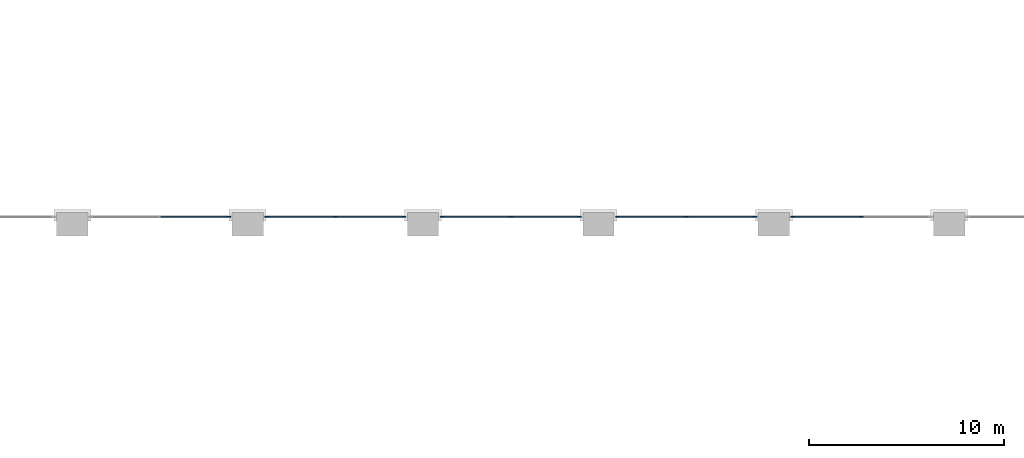
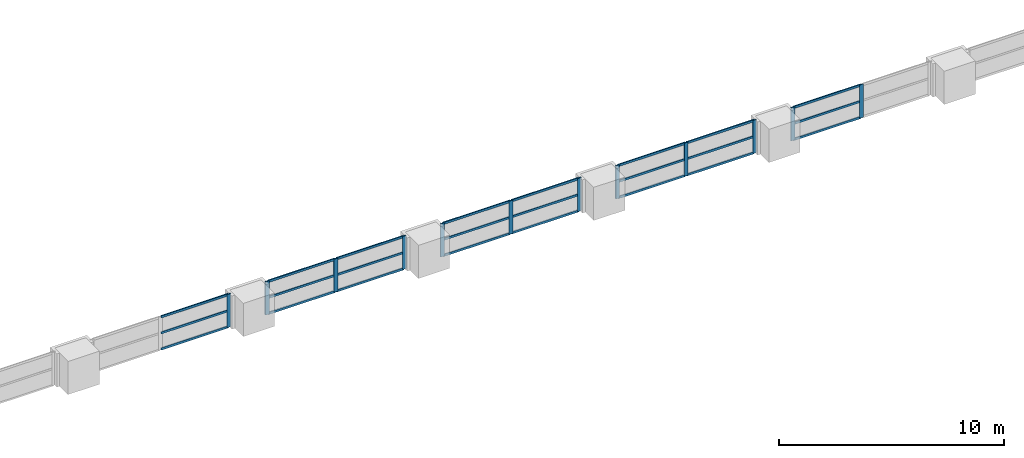
# One storey, part 6 of 32: 36 members, 5 elements without a shape of their own.
"""IFC4 building model written with IfcOpenShell, lengths in metres."""

from ifc_helpers import new_model, si_unit, direction, frame, origin, origin_2d, place, context, subcontext, project, spatial, rectangle, extrude, material, material_profile, profile_set, type_object, element, aggregate, save


model = new_model("IFC4")

# Units and contexts
model_context = context("Model", 3, precision=1e-05, world=origin(), true_north=direction((0.0, 1.0)))
body_context = subcontext(model_context, "Body", "Model", "MODEL_VIEW")
ifc_project = project(units=[si_unit("LENGTHUNIT", "METRE"), si_unit("AREAUNIT", "SQUARE_METRE"), si_unit("VOLUMEUNIT", "CUBIC_METRE"), si_unit("PLANEANGLEUNIT", "RADIAN"), si_unit("MASSUNIT", "GRAM", prefix="KILO")], contexts=[model_context])

# Site, building, storey
site_placement = place(None, origin())
site = spatial("IfcSite", under=ifc_project, at=site_placement, CompositionType="ELEMENT")
building_placement = place(site_placement, origin())
building = spatial("IfcBuilding", under=site, at=building_placement, Name="Aravalli Gate Trade Fair Centre", CompositionType="ELEMENT")
storey_placement = place(building_placement, frame((0.0, 0.0, 23.39990234375)))
storey = spatial("IfcBuildingStorey", under=building, at=storey_placement, Name="ROOF LEVEL 1", CompositionType="ELEMENT", Elevation=23.39990234375)

# Curtain wall, member
ifc_material_1 = material(Name="Aluminium, glass and louvre", Category="aluminium")
curtain_wall_type = type_object("IfcCurtainWallType", Name="Hall crown curtain wall 3000 module", PredefinedType="NOTDEFINED", material=ifc_material_1)
curtain_wall_1_placement = place(storey_placement, origin())
curtain_wall_1 = element("IfcCurtainWall", 1, at=curtain_wall_1_placement, inside=storey, type_object=curtain_wall_type, Name="Hall north crown curtain wall bay 3 ROOF LEVEL 1", PredefinedType="NOTDEFINED")
ifc_material_2 = material(Name="Aluminium", Category="aluminium")
ifc_material_profile_1 = material_profile(ifc_material_2, rectangle(XDim=0.06005859375, YDim=0.199951171875, at=origin_2d()), Name="Hall curtain wall mullion 60 x 200")
ifc_profile_set_1 = profile_set([ifc_material_profile_1], Name="Aluminium")
member_type_1 = type_object("IfcMemberType", Name="Hall curtain wall mullion 60 x 200", PredefinedType="MULLION", material=ifc_profile_set_1)
member_1_placement = place(storey_placement, frame((32.02001953125, 109.375, 0.0), z_axis=(0.0, 0.0, 1.0), x_axis=(0.0, 1.0, 0.0)))
member_1 = element("IfcMember", 2, at=member_1_placement, type_object=member_type_1, Name="HCW1 mullion 3", PredefinedType="MULLION", context=body_context, shape_type="SweptSolid", body=[
    extrude(rectangle(XDim=0.06005859375, YDim=0.199951171875, at=origin_2d()), origin(), (0.0, 0.0, 1.0), 1.800048828125),
])

# Curtain wall, members
curtain_wall_2_placement = place(storey_placement, origin())
curtain_wall_2 = element("IfcCurtainWall", 3, at=curtain_wall_2_placement, inside=storey, type_object=curtain_wall_type, Name="Hall north crown curtain wall bay 4 ROOF LEVEL 1", PredefinedType="NOTDEFINED")
member_2_placement = place(storey_placement, frame((33.97998046875, 109.375, 0.0), z_axis=(0.0, 0.0, 1.0), x_axis=(0.0, 1.0, 0.0)))
member_2 = element("IfcMember", 4, at=member_2_placement, type_object=member_type_1, Name="HCW1 mullion 1", PredefinedType="MULLION", context=body_context, shape_type="SweptSolid", body=[
    extrude(rectangle(XDim=0.06005859375, YDim=0.199951171875, at=origin_2d()), origin(), (0.0, 0.0, 1.0), 1.800048828125),
])
member_3_placement = place(storey_placement, frame((37.5, 109.375, 0.0), z_axis=(0.0, 0.0, 1.0), x_axis=(0.0, 1.0, 0.0)))
member_3 = element("IfcMember", 5, at=member_3_placement, type_object=member_type_1, Name="HCW1 mullion 2", PredefinedType="MULLION", context=body_context, shape_type="SweptSolid", body=[
    extrude(rectangle(XDim=0.06005859375, YDim=0.199951171875, at=origin_2d()), origin(), (0.0, 0.0, 1.0), 1.800048828125),
])
member_4_placement = place(storey_placement, frame((41.02001953125, 109.375, 0.0), z_axis=(0.0, 0.0, 1.0), x_axis=(0.0, 1.0, 0.0)))
member_4 = element("IfcMember", 6, at=member_4_placement, type_object=member_type_1, Name="HCW1 mullion 3", PredefinedType="MULLION", context=body_context, shape_type="SweptSolid", body=[
    extrude(rectangle(XDim=0.06005859375, YDim=0.199951171875, at=origin_2d()), origin(), (0.0, 0.0, 1.0), 1.800048828125),
])

curtain_wall_3_placement = place(storey_placement, origin())
curtain_wall_3 = element("IfcCurtainWall", 7, at=curtain_wall_3_placement, inside=storey, type_object=curtain_wall_type, Name="Hall north crown curtain wall bay 5 ROOF LEVEL 1", PredefinedType="NOTDEFINED")
member_5_placement = place(storey_placement, frame((42.97998046875, 109.375, 0.0), z_axis=(0.0, 0.0, 1.0), x_axis=(0.0, 1.0, 0.0)))
member_5 = element("IfcMember", 8, at=member_5_placement, type_object=member_type_1, Name="HCW1 mullion 1", PredefinedType="MULLION", context=body_context, shape_type="SweptSolid", body=[
    extrude(rectangle(XDim=0.06005859375, YDim=0.199951171875, at=origin_2d()), origin(), (0.0, 0.0, 1.0), 1.800048828125),
])
member_6_placement = place(storey_placement, frame((46.5, 109.375, 0.0), z_axis=(0.0, 0.0, 1.0), x_axis=(0.0, 1.0, 0.0)))
member_6 = element("IfcMember", 9, at=member_6_placement, type_object=member_type_1, Name="HCW1 mullion 2", PredefinedType="MULLION", context=body_context, shape_type="SweptSolid", body=[
    extrude(rectangle(XDim=0.06005859375, YDim=0.199951171875, at=origin_2d()), origin(), (0.0, 0.0, 1.0), 1.800048828125),
])
member_7_placement = place(storey_placement, frame((50.02001953125, 109.375, 0.0), z_axis=(0.0, 0.0, 1.0), x_axis=(0.0, 1.0, 0.0)))
member_7 = element("IfcMember", 10, at=member_7_placement, type_object=member_type_1, Name="HCW1 mullion 3", PredefinedType="MULLION", context=body_context, shape_type="SweptSolid", body=[
    extrude(rectangle(XDim=0.06005859375, YDim=0.199951171875, at=origin_2d()), origin(), (0.0, 0.0, 1.0), 1.800048828125),
])

curtain_wall_4_placement = place(storey_placement, origin())
curtain_wall_4 = element("IfcCurtainWall", 11, at=curtain_wall_4_placement, inside=storey, type_object=curtain_wall_type, Name="Hall north crown curtain wall bay 6 ROOF LEVEL 1", PredefinedType="NOTDEFINED")
member_8_placement = place(storey_placement, frame((51.97998046875, 109.375, 0.0), z_axis=(0.0, 0.0, 1.0), x_axis=(0.0, 1.0, 0.0)))
member_8 = element("IfcMember", 12, at=member_8_placement, type_object=member_type_1, Name="HCW1 mullion 1", PredefinedType="MULLION", context=body_context, shape_type="SweptSolid", body=[
    extrude(rectangle(XDim=0.06005859375, YDim=0.199951171875, at=origin_2d()), origin(), (0.0, 0.0, 1.0), 1.800048828125),
])
member_9_placement = place(storey_placement, frame((55.5, 109.375, 0.0), z_axis=(0.0, 0.0, 1.0), x_axis=(0.0, 1.0, 0.0)))
member_9 = element("IfcMember", 13, at=member_9_placement, type_object=member_type_1, Name="HCW1 mullion 2", PredefinedType="MULLION", context=body_context, shape_type="SweptSolid", body=[
    extrude(rectangle(XDim=0.06005859375, YDim=0.199951171875, at=origin_2d()), origin(), (0.0, 0.0, 1.0), 1.800048828125),
])
member_10_placement = place(storey_placement, frame((59.02001953125, 109.375, 0.0), z_axis=(0.0, 0.0, 1.0), x_axis=(0.0, 1.0, 0.0)))
member_10 = element("IfcMember", 14, at=member_10_placement, type_object=member_type_1, Name="HCW1 mullion 3", PredefinedType="MULLION", context=body_context, shape_type="SweptSolid", body=[
    extrude(rectangle(XDim=0.06005859375, YDim=0.199951171875, at=origin_2d()), origin(), (0.0, 0.0, 1.0), 1.800048828125),
])

curtain_wall_5_placement = place(storey_placement, origin())
curtain_wall_5 = element("IfcCurtainWall", 15, at=curtain_wall_5_placement, inside=storey, type_object=curtain_wall_type, Name="Hall north crown curtain wall bay 7 ROOF LEVEL 1", PredefinedType="NOTDEFINED")
member_11_placement = place(storey_placement, frame((60.97998046875, 109.375, 0.0), z_axis=(0.0, 0.0, 1.0), x_axis=(0.0, 1.0, 0.0)))
member_11 = element("IfcMember", 16, at=member_11_placement, type_object=member_type_1, Name="HCW1 mullion 1", PredefinedType="MULLION", context=body_context, shape_type="SweptSolid", body=[
    extrude(rectangle(XDim=0.06005859375, YDim=0.199951171875, at=origin_2d()), origin(), (0.0, 0.0, 1.0), 1.800048828125),
])
member_12_placement = place(storey_placement, frame((64.5, 109.375, 0.0), z_axis=(0.0, 0.0, 1.0), x_axis=(0.0, 1.0, 0.0)))
member_12 = element("IfcMember", 17, at=member_12_placement, type_object=member_type_1, Name="HCW1 mullion 2", PredefinedType="MULLION", context=body_context, shape_type="SweptSolid", body=[
    extrude(rectangle(XDim=0.06005859375, YDim=0.199951171875, at=origin_2d()), origin(), (0.0, 0.0, 1.0), 1.800048828125),
])

# Member
ifc_material_profile_2 = material_profile(ifc_material_2, rectangle(XDim=0.06005859375, YDim=0.1201171875, at=origin_2d()), Name="Hall curtain wall transom 60 x 120")
ifc_profile_set_2 = profile_set([ifc_material_profile_2], Name="Aluminium")
member_type_2 = type_object("IfcMemberType", Name="Hall curtain wall transom 60 x 120", PredefinedType="USERDEFINED", material=ifc_profile_set_2)
member_13_placement = place(storey_placement, frame((28.530029296875, 109.375, 0.030029296875), z_axis=(1.0, 0.0, 0.0), x_axis=(0.0, 1.0, 0.0)))
member_13 = element("IfcMember", 18, at=member_13_placement, type_object=member_type_2, Name="HCW1 transom 2.1", ObjectType="TRANSOM", PredefinedType="USERDEFINED", context=body_context, shape_type="SweptSolid", body=[
    extrude(rectangle(XDim=0.06005859375, YDim=0.1201171875, at=origin_2d()), origin(), (0.0, 0.0, 1.0), 3.4599609375),
])

member_14_placement = place(storey_placement, frame((28.530029296875, 109.375, 0.900146484375), z_axis=(1.0, 0.0, 0.0), x_axis=(0.0, 1.0, 0.0)))
member_14 = element("IfcMember", 19, at=member_14_placement, type_object=member_type_2, Name="HCW1 transom 2.2", ObjectType="TRANSOM", PredefinedType="USERDEFINED", context=body_context, shape_type="SweptSolid", body=[
    extrude(rectangle(XDim=0.06005859375, YDim=0.1201171875, at=origin_2d()), origin(), (0.0, 0.0, 1.0), 3.4599609375),
])

member_15_placement = place(storey_placement, frame((28.530029296875, 109.375, 1.77001953125), z_axis=(1.0, 0.0, 0.0), x_axis=(0.0, 1.0, 0.0)))
member_15 = element("IfcMember", 20, at=member_15_placement, type_object=member_type_2, Name="HCW1 transom 2.3", ObjectType="TRANSOM", PredefinedType="USERDEFINED", context=body_context, shape_type="SweptSolid", body=[
    extrude(rectangle(XDim=0.06005859375, YDim=0.1201171875, at=origin_2d()), origin(), (0.0, 0.0, 1.0), 3.4599609375),
])

aggregate(curtain_wall_1, [member_1, member_13, member_14, member_15])

member_16_placement = place(storey_placement, frame((34.010009765625, 109.375, 0.030029296875), z_axis=(1.0, 0.0, 0.0), x_axis=(0.0, 1.0, 0.0)))
member_16 = element("IfcMember", 21, at=member_16_placement, type_object=member_type_2, Name="HCW1 transom 1.1", ObjectType="TRANSOM", PredefinedType="USERDEFINED", context=body_context, shape_type="SweptSolid", body=[
    extrude(rectangle(XDim=0.06005859375, YDim=0.1201171875, at=origin_2d()), origin(), (0.0, 0.0, 1.0), 3.4599609375),
])

member_17_placement = place(storey_placement, frame((34.010009765625, 109.375, 0.900146484375), z_axis=(1.0, 0.0, 0.0), x_axis=(0.0, 1.0, 0.0)))
member_17 = element("IfcMember", 22, at=member_17_placement, type_object=member_type_2, Name="HCW1 transom 1.2", ObjectType="TRANSOM", PredefinedType="USERDEFINED", context=body_context, shape_type="SweptSolid", body=[
    extrude(rectangle(XDim=0.06005859375, YDim=0.1201171875, at=origin_2d()), origin(), (0.0, 0.0, 1.0), 3.4599609375),
])

member_18_placement = place(storey_placement, frame((34.010009765625, 109.375, 1.77001953125), z_axis=(1.0, 0.0, 0.0), x_axis=(0.0, 1.0, 0.0)))
member_18 = element("IfcMember", 23, at=member_18_placement, type_object=member_type_2, Name="HCW1 transom 1.3", ObjectType="TRANSOM", PredefinedType="USERDEFINED", context=body_context, shape_type="SweptSolid", body=[
    extrude(rectangle(XDim=0.06005859375, YDim=0.1201171875, at=origin_2d()), origin(), (0.0, 0.0, 1.0), 3.4599609375),
])

member_19_placement = place(storey_placement, frame((37.530029296875, 109.375, 0.030029296875), z_axis=(1.0, 0.0, 0.0), x_axis=(0.0, 1.0, 0.0)))
member_19 = element("IfcMember", 24, at=member_19_placement, type_object=member_type_2, Name="HCW1 transom 2.1", ObjectType="TRANSOM", PredefinedType="USERDEFINED", context=body_context, shape_type="SweptSolid", body=[
    extrude(rectangle(XDim=0.06005859375, YDim=0.1201171875, at=origin_2d()), origin(), (0.0, 0.0, 1.0), 3.4599609375),
])

member_20_placement = place(storey_placement, frame((37.530029296875, 109.375, 0.900146484375), z_axis=(1.0, 0.0, 0.0), x_axis=(0.0, 1.0, 0.0)))
member_20 = element("IfcMember", 25, at=member_20_placement, type_object=member_type_2, Name="HCW1 transom 2.2", ObjectType="TRANSOM", PredefinedType="USERDEFINED", context=body_context, shape_type="SweptSolid", body=[
    extrude(rectangle(XDim=0.06005859375, YDim=0.1201171875, at=origin_2d()), origin(), (0.0, 0.0, 1.0), 3.4599609375),
])

member_21_placement = place(storey_placement, frame((37.530029296875, 109.375, 1.77001953125), z_axis=(1.0, 0.0, 0.0), x_axis=(0.0, 1.0, 0.0)))
member_21 = element("IfcMember", 26, at=member_21_placement, type_object=member_type_2, Name="HCW1 transom 2.3", ObjectType="TRANSOM", PredefinedType="USERDEFINED", context=body_context, shape_type="SweptSolid", body=[
    extrude(rectangle(XDim=0.06005859375, YDim=0.1201171875, at=origin_2d()), origin(), (0.0, 0.0, 1.0), 3.4599609375),
])

aggregate(curtain_wall_2, [member_2, member_3, member_4, member_16, member_17, member_18, member_19, member_20, member_21])

member_22_placement = place(storey_placement, frame((43.010009765625, 109.375, 0.030029296875), z_axis=(1.0, 0.0, 0.0), x_axis=(0.0, 1.0, 0.0)))
member_22 = element("IfcMember", 27, at=member_22_placement, type_object=member_type_2, Name="HCW1 transom 1.1", ObjectType="TRANSOM", PredefinedType="USERDEFINED", context=body_context, shape_type="SweptSolid", body=[
    extrude(rectangle(XDim=0.06005859375, YDim=0.1201171875, at=origin_2d()), origin(), (0.0, 0.0, 1.0), 3.4599609375),
])

member_23_placement = place(storey_placement, frame((43.010009765625, 109.375, 0.900146484375), z_axis=(1.0, 0.0, 0.0), x_axis=(0.0, 1.0, 0.0)))
member_23 = element("IfcMember", 28, at=member_23_placement, type_object=member_type_2, Name="HCW1 transom 1.2", ObjectType="TRANSOM", PredefinedType="USERDEFINED", context=body_context, shape_type="SweptSolid", body=[
    extrude(rectangle(XDim=0.06005859375, YDim=0.1201171875, at=origin_2d()), origin(), (0.0, 0.0, 1.0), 3.4599609375),
])

member_24_placement = place(storey_placement, frame((43.010009765625, 109.375, 1.77001953125), z_axis=(1.0, 0.0, 0.0), x_axis=(0.0, 1.0, 0.0)))
member_24 = element("IfcMember", 29, at=member_24_placement, type_object=member_type_2, Name="HCW1 transom 1.3", ObjectType="TRANSOM", PredefinedType="USERDEFINED", context=body_context, shape_type="SweptSolid", body=[
    extrude(rectangle(XDim=0.06005859375, YDim=0.1201171875, at=origin_2d()), origin(), (0.0, 0.0, 1.0), 3.4599609375),
])

member_25_placement = place(storey_placement, frame((46.530029296875, 109.375, 0.030029296875), z_axis=(1.0, 0.0, 0.0), x_axis=(0.0, 1.0, 0.0)))
member_25 = element("IfcMember", 30, at=member_25_placement, type_object=member_type_2, Name="HCW1 transom 2.1", ObjectType="TRANSOM", PredefinedType="USERDEFINED", context=body_context, shape_type="SweptSolid", body=[
    extrude(rectangle(XDim=0.06005859375, YDim=0.1201171875, at=origin_2d()), origin(), (0.0, 0.0, 1.0), 3.4599609375),
])

member_26_placement = place(storey_placement, frame((46.530029296875, 109.375, 0.900146484375), z_axis=(1.0, 0.0, 0.0), x_axis=(0.0, 1.0, 0.0)))
member_26 = element("IfcMember", 31, at=member_26_placement, type_object=member_type_2, Name="HCW1 transom 2.2", ObjectType="TRANSOM", PredefinedType="USERDEFINED", context=body_context, shape_type="SweptSolid", body=[
    extrude(rectangle(XDim=0.06005859375, YDim=0.1201171875, at=origin_2d()), origin(), (0.0, 0.0, 1.0), 3.4599609375),
])

member_27_placement = place(storey_placement, frame((46.530029296875, 109.375, 1.77001953125), z_axis=(1.0, 0.0, 0.0), x_axis=(0.0, 1.0, 0.0)))
member_27 = element("IfcMember", 32, at=member_27_placement, type_object=member_type_2, Name="HCW1 transom 2.3", ObjectType="TRANSOM", PredefinedType="USERDEFINED", context=body_context, shape_type="SweptSolid", body=[
    extrude(rectangle(XDim=0.06005859375, YDim=0.1201171875, at=origin_2d()), origin(), (0.0, 0.0, 1.0), 3.4599609375),
])

aggregate(curtain_wall_3, [member_5, member_6, member_7, member_22, member_23, member_24, member_25, member_26, member_27])

member_28_placement = place(storey_placement, frame((52.010009765625, 109.375, 0.030029296875), z_axis=(1.0, 0.0, 0.0), x_axis=(0.0, 1.0, 0.0)))
member_28 = element("IfcMember", 33, at=member_28_placement, type_object=member_type_2, Name="HCW1 transom 1.1", ObjectType="TRANSOM", PredefinedType="USERDEFINED", context=body_context, shape_type="SweptSolid", body=[
    extrude(rectangle(XDim=0.06005859375, YDim=0.1201171875, at=origin_2d()), origin(), (0.0, 0.0, 1.0), 3.4599609375),
])

member_29_placement = place(storey_placement, frame((52.010009765625, 109.375, 0.900146484375), z_axis=(1.0, 0.0, 0.0), x_axis=(0.0, 1.0, 0.0)))
member_29 = element("IfcMember", 34, at=member_29_placement, type_object=member_type_2, Name="HCW1 transom 1.2", ObjectType="TRANSOM", PredefinedType="USERDEFINED", context=body_context, shape_type="SweptSolid", body=[
    extrude(rectangle(XDim=0.06005859375, YDim=0.1201171875, at=origin_2d()), origin(), (0.0, 0.0, 1.0), 3.4599609375),
])

member_30_placement = place(storey_placement, frame((52.010009765625, 109.375, 1.77001953125), z_axis=(1.0, 0.0, 0.0), x_axis=(0.0, 1.0, 0.0)))
member_30 = element("IfcMember", 35, at=member_30_placement, type_object=member_type_2, Name="HCW1 transom 1.3", ObjectType="TRANSOM", PredefinedType="USERDEFINED", context=body_context, shape_type="SweptSolid", body=[
    extrude(rectangle(XDim=0.06005859375, YDim=0.1201171875, at=origin_2d()), origin(), (0.0, 0.0, 1.0), 3.4599609375),
])

member_31_placement = place(storey_placement, frame((55.530029296875, 109.375, 0.030029296875), z_axis=(1.0, 0.0, 0.0), x_axis=(0.0, 1.0, 0.0)))
member_31 = element("IfcMember", 36, at=member_31_placement, type_object=member_type_2, Name="HCW1 transom 2.1", ObjectType="TRANSOM", PredefinedType="USERDEFINED", context=body_context, shape_type="SweptSolid", body=[
    extrude(rectangle(XDim=0.06005859375, YDim=0.1201171875, at=origin_2d()), origin(), (0.0, 0.0, 1.0), 3.4599609375),
])

member_32_placement = place(storey_placement, frame((55.530029296875, 109.375, 0.900146484375), z_axis=(1.0, 0.0, 0.0), x_axis=(0.0, 1.0, 0.0)))
member_32 = element("IfcMember", 37, at=member_32_placement, type_object=member_type_2, Name="HCW1 transom 2.2", ObjectType="TRANSOM", PredefinedType="USERDEFINED", context=body_context, shape_type="SweptSolid", body=[
    extrude(rectangle(XDim=0.06005859375, YDim=0.1201171875, at=origin_2d()), origin(), (0.0, 0.0, 1.0), 3.4599609375),
])

member_33_placement = place(storey_placement, frame((55.530029296875, 109.375, 1.77001953125), z_axis=(1.0, 0.0, 0.0), x_axis=(0.0, 1.0, 0.0)))
member_33 = element("IfcMember", 38, at=member_33_placement, type_object=member_type_2, Name="HCW1 transom 2.3", ObjectType="TRANSOM", PredefinedType="USERDEFINED", context=body_context, shape_type="SweptSolid", body=[
    extrude(rectangle(XDim=0.06005859375, YDim=0.1201171875, at=origin_2d()), origin(), (0.0, 0.0, 1.0), 3.4599609375),
])

aggregate(curtain_wall_4, [member_8, member_9, member_10, member_28, member_29, member_30, member_31, member_32, member_33])

member_34_placement = place(storey_placement, frame((61.010009765625, 109.375, 0.030029296875), z_axis=(1.0, 0.0, 0.0), x_axis=(0.0, 1.0, 0.0)))
member_34 = element("IfcMember", 39, at=member_34_placement, type_object=member_type_2, Name="HCW1 transom 1.1", ObjectType="TRANSOM", PredefinedType="USERDEFINED", context=body_context, shape_type="SweptSolid", body=[
    extrude(rectangle(XDim=0.06005859375, YDim=0.1201171875, at=origin_2d()), origin(), (0.0, 0.0, 1.0), 3.4599609375),
])

member_35_placement = place(storey_placement, frame((61.010009765625, 109.375, 0.900146484375), z_axis=(1.0, 0.0, 0.0), x_axis=(0.0, 1.0, 0.0)))
member_35 = element("IfcMember", 40, at=member_35_placement, type_object=member_type_2, Name="HCW1 transom 1.2", ObjectType="TRANSOM", PredefinedType="USERDEFINED", context=body_context, shape_type="SweptSolid", body=[
    extrude(rectangle(XDim=0.06005859375, YDim=0.1201171875, at=origin_2d()), origin(), (0.0, 0.0, 1.0), 3.4599609375),
])

member_36_placement = place(storey_placement, frame((61.010009765625, 109.375, 1.77001953125), z_axis=(1.0, 0.0, 0.0), x_axis=(0.0, 1.0, 0.0)))
member_36 = element("IfcMember", 41, at=member_36_placement, type_object=member_type_2, Name="HCW1 transom 1.3", ObjectType="TRANSOM", PredefinedType="USERDEFINED", context=body_context, shape_type="SweptSolid", body=[
    extrude(rectangle(XDim=0.06005859375, YDim=0.1201171875, at=origin_2d()), origin(), (0.0, 0.0, 1.0), 3.4599609375),
])

aggregate(curtain_wall_5, [member_11, member_12, member_34, member_35, member_36])

save(model, "model.ifc")
